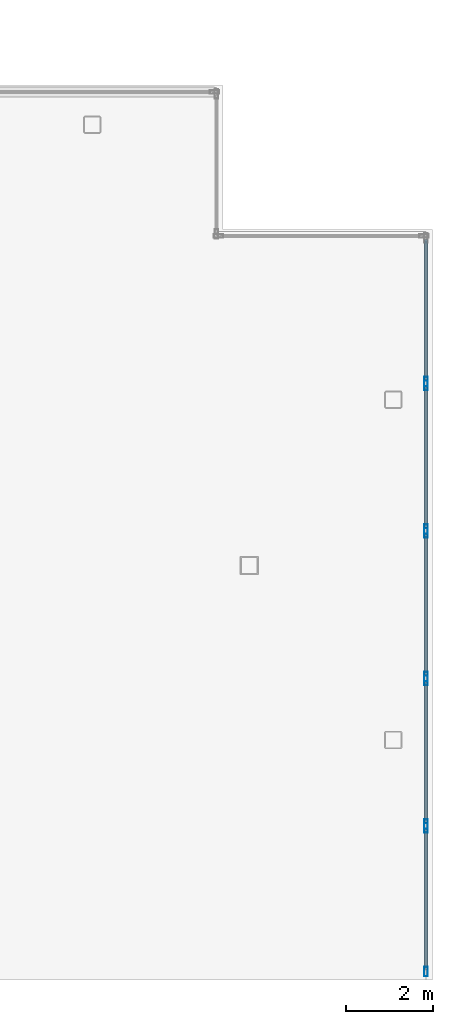
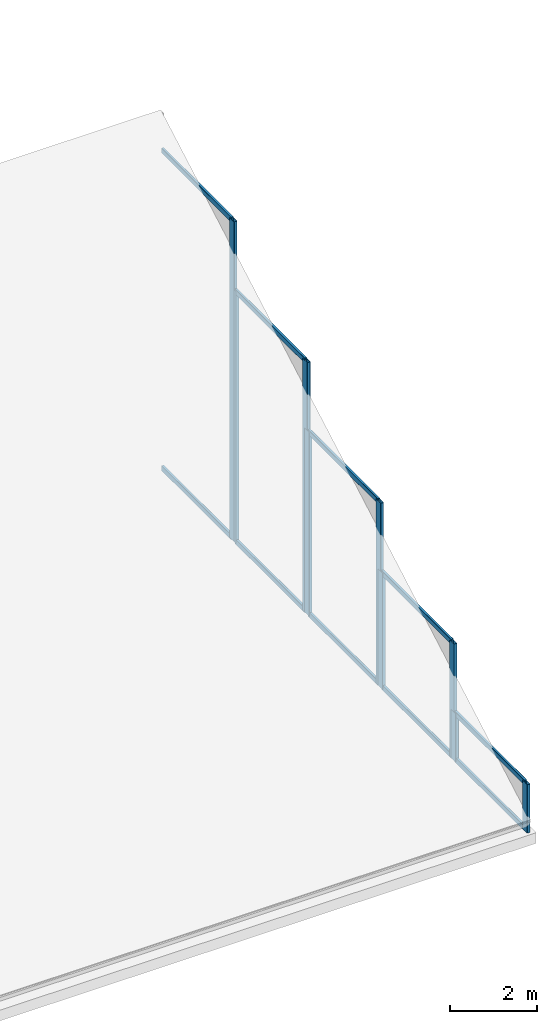
# One storey, part 6 of 11: 19 members, 5 elements without a shape of their own.
"""IFC4 building model written with IfcOpenShell, lengths in metres."""

from ifc_helpers import new_model, si_unit, direction, frame, origin, origin_2d, place, context, subcontext, project, spatial, hollow_rectangle, extrude, material, layer, layer_set, material_profile, profile_set, type_object, element, aggregate, save


model = new_model("IFC4")

# Units and contexts
model_context = context("Model", 3, precision=1e-05, world=origin(), true_north=direction((0.0, 1.0)))
body_context = subcontext(model_context, "Body", "Model", "MODEL_VIEW")
ifc_project = project(units=[si_unit("LENGTHUNIT", "METRE"), si_unit("AREAUNIT", "SQUARE_METRE"), si_unit("VOLUMEUNIT", "CUBIC_METRE"), si_unit("PLANEANGLEUNIT", "RADIAN"), si_unit("MASSUNIT", "GRAM", prefix="KILO")], contexts=[model_context])

# Site, building, storey
site_placement = place(None, origin())
site = spatial("IfcSite", under=ifc_project, at=site_placement, CompositionType="ELEMENT")
building_placement = place(site_placement, origin())
building = spatial("IfcBuilding", under=site, at=building_placement, Name="Tarnavaz Court Tower", CompositionType="ELEMENT")
storey_placement = place(building_placement, frame((0.0, 0.0, 304.050048828125)))
storey = spatial("IfcBuildingStorey", under=building, at=storey_placement, Name="C06", CompositionType="ELEMENT", Elevation=304.050048828125)

# Curtain wall, member
ifc_material_1 = material(Name="Anodised Aluminium 6063-T6 and Solar Low-E Glazing", Category="aluminium")
ifc_layer = layer(ifc_material_1, 0.2099609375)
ifc_layer_set = layer_set([ifc_layer], Name="Anodised Aluminium 6063-T6 and Solar Low-E Glazing")
curtain_wall_type = type_object("IfcCurtainWallType", Name="CW-SYS-06", PredefinedType="NOTDEFINED", material=ifc_layer_set)
curtain_wall_1_placement = place(storey_placement, origin())
curtain_wall_1 = element("IfcCurtainWall", 1, at=curtain_wall_1_placement, inside=storey, type_object=curtain_wall_type, Name="C06 Slanted Crown Terracotta Curtain Wall 10", PredefinedType="NOTDEFINED")
ifc_material_2 = material(Name="Anodised Aluminium 6063-T6", Category="aluminium")
ifc_material_profile_1 = material_profile(ifc_material_2, hollow_rectangle(XDim=0.0849609375, YDim=0.219970703125, WallThickness=0.006103515625, InnerFilletRadius=0.006103515625, OuterFilletRadius=0.011962890625, at=origin_2d()), Name="ALU RHS 220X85X6")
ifc_profile_set_1 = profile_set([ifc_material_profile_1], Name="Anodised Aluminium 6063-T6")
member_type_1 = type_object("IfcMemberType", Name="CW-MUL-220", PredefinedType="MULLION", material=ifc_profile_set_1)
member_1_placement = place(storey_placement, frame((22.64990234375, 14.21240234375, 0.0), z_axis=(0.0, 0.0, 1.0), x_axis=(1.0, 0.0, 0.0)))
member_1 = element("IfcMember", 2, at=member_1_placement, type_object=member_type_1, Name="CW mullion 2", PredefinedType="MULLION", context=body_context, shape_type="SweptSolid", body=[
    extrude(hollow_rectangle(XDim=0.0849609375, YDim=0.219970703125, WallThickness=0.006103515625, InnerFilletRadius=0.006103515625, OuterFilletRadius=0.011962890625, at=origin_2d()), origin(), (0.0, 0.0, 1.0), 9.004638671875),
])

# Curtain wall, members
curtain_wall_2_placement = place(storey_placement, origin())
curtain_wall_2 = element("IfcCurtainWall", 3, at=curtain_wall_2_placement, inside=storey, type_object=curtain_wall_type, Name="C06 Slanted Crown Terracotta Curtain Wall 11", PredefinedType="NOTDEFINED")
member_2_placement = place(storey_placement, frame((22.64990234375, 14.12744140625, 0.0), z_axis=(0.0, 0.0, 1.0), x_axis=(1.0, 0.0, 0.0)))
member_2 = element("IfcMember", 4, at=member_2_placement, type_object=member_type_1, Name="CW mullion 1", PredefinedType="MULLION", context=body_context, shape_type="SweptSolid", body=[
    extrude(hollow_rectangle(XDim=0.0849609375, YDim=0.219970703125, WallThickness=0.006103515625, InnerFilletRadius=0.006103515625, OuterFilletRadius=0.011962890625, at=origin_2d()), origin(), (0.0, 0.0, 1.0), 7.093017578125),
])
member_3_placement = place(storey_placement, frame((22.64990234375, 10.83251953125, 0.0), z_axis=(0.0, 0.0, 1.0), x_axis=(1.0, 0.0, 0.0)))
member_3 = element("IfcMember", 5, at=member_3_placement, type_object=member_type_1, Name="CW mullion 2", PredefinedType="MULLION", context=body_context, shape_type="SweptSolid", body=[
    extrude(hollow_rectangle(XDim=0.0849609375, YDim=0.219970703125, WallThickness=0.006103515625, InnerFilletRadius=0.006103515625, OuterFilletRadius=0.011962890625, at=origin_2d()), origin(), (0.0, 0.0, 1.0), 7.093017578125),
])

curtain_wall_3_placement = place(storey_placement, origin())
curtain_wall_3 = element("IfcCurtainWall", 6, at=curtain_wall_3_placement, inside=storey, type_object=curtain_wall_type, Name="C06 Slanted Crown Terracotta Curtain Wall 12", PredefinedType="NOTDEFINED")
member_4_placement = place(storey_placement, frame((22.64990234375, 10.74755859375, 0.0), z_axis=(0.0, 0.0, 1.0), x_axis=(1.0, 0.0, 0.0)))
member_4 = element("IfcMember", 7, at=member_4_placement, type_object=member_type_1, Name="CW mullion 1", PredefinedType="MULLION", context=body_context, shape_type="SweptSolid", body=[
    extrude(hollow_rectangle(XDim=0.0849609375, YDim=0.219970703125, WallThickness=0.006103515625, InnerFilletRadius=0.006103515625, OuterFilletRadius=0.011962890625, at=origin_2d()), origin(), (0.0, 0.0, 1.0), 5.181640625),
])
member_5_placement = place(storey_placement, frame((22.64990234375, 7.452392578125, 0.0), z_axis=(0.0, 0.0, 1.0), x_axis=(1.0, 0.0, 0.0)))
member_5 = element("IfcMember", 8, at=member_5_placement, type_object=member_type_1, Name="CW mullion 2", PredefinedType="MULLION", context=body_context, shape_type="SweptSolid", body=[
    extrude(hollow_rectangle(XDim=0.0849609375, YDim=0.219970703125, WallThickness=0.006103515625, InnerFilletRadius=0.006103515625, OuterFilletRadius=0.011962890625, at=origin_2d()), origin(), (0.0, 0.0, 1.0), 5.181640625),
])

curtain_wall_4_placement = place(storey_placement, origin())
curtain_wall_4 = element("IfcCurtainWall", 9, at=curtain_wall_4_placement, inside=storey, type_object=curtain_wall_type, Name="C06 Slanted Crown Terracotta Curtain Wall 13", PredefinedType="NOTDEFINED")
member_6_placement = place(storey_placement, frame((22.64990234375, 7.367431640625, 0.0), z_axis=(0.0, 0.0, 1.0), x_axis=(1.0, 0.0, 0.0)))
member_6 = element("IfcMember", 10, at=member_6_placement, type_object=member_type_1, Name="CW mullion 1", PredefinedType="MULLION", context=body_context, shape_type="SweptSolid", body=[
    extrude(hollow_rectangle(XDim=0.0849609375, YDim=0.219970703125, WallThickness=0.006103515625, InnerFilletRadius=0.006103515625, OuterFilletRadius=0.011962890625, at=origin_2d()), origin(), (0.0, 0.0, 1.0), 3.27001953125),
])
member_7_placement = place(storey_placement, frame((22.64990234375, 4.072509765625, 0.0), z_axis=(0.0, 0.0, 1.0), x_axis=(1.0, 0.0, 0.0)))
member_7 = element("IfcMember", 11, at=member_7_placement, type_object=member_type_1, Name="CW mullion 2", PredefinedType="MULLION", context=body_context, shape_type="SweptSolid", body=[
    extrude(hollow_rectangle(XDim=0.0849609375, YDim=0.219970703125, WallThickness=0.006103515625, InnerFilletRadius=0.006103515625, OuterFilletRadius=0.011962890625, at=origin_2d()), origin(), (0.0, 0.0, 1.0), 3.27001953125),
])

curtain_wall_5_placement = place(storey_placement, origin())
curtain_wall_5 = element("IfcCurtainWall", 12, at=curtain_wall_5_placement, inside=storey, type_object=curtain_wall_type, Name="C06 Slanted Crown Terracotta Curtain Wall 14", PredefinedType="NOTDEFINED")
member_8_placement = place(storey_placement, frame((22.64990234375, 3.987548828125, 0.0), z_axis=(0.0, 0.0, 1.0), x_axis=(1.0, 0.0, 0.0)))
member_8 = element("IfcMember", 13, at=member_8_placement, type_object=member_type_1, Name="CW mullion 1", PredefinedType="MULLION", context=body_context, shape_type="SweptSolid", body=[
    extrude(hollow_rectangle(XDim=0.0849609375, YDim=0.219970703125, WallThickness=0.006103515625, InnerFilletRadius=0.006103515625, OuterFilletRadius=0.011962890625, at=origin_2d()), origin(), (0.0, 0.0, 1.0), 1.3583984375),
])
member_9_placement = place(storey_placement, frame((22.64990234375, 0.6923828125, 0.0), z_axis=(0.0, 0.0, 1.0), x_axis=(1.0, 0.0, 0.0)))
member_9 = element("IfcMember", 14, at=member_9_placement, type_object=member_type_1, Name="CW mullion 2", PredefinedType="MULLION", context=body_context, shape_type="SweptSolid", body=[
    extrude(hollow_rectangle(XDim=0.0849609375, YDim=0.219970703125, WallThickness=0.006103515625, InnerFilletRadius=0.006103515625, OuterFilletRadius=0.011962890625, at=origin_2d()), origin(), (0.0, 0.0, 1.0), 1.3583984375),
])

# Member
ifc_material_profile_2 = material_profile(ifc_material_2, hollow_rectangle(XDim=0.06494140625, YDim=0.139892578125, WallThickness=0.00390625, InnerFilletRadius=0.00390625, OuterFilletRadius=0.008056640625, at=origin_2d()), Name="ALU RHS 140X65X4")
ifc_profile_set_2 = profile_set([ifc_material_profile_2], Name="Anodised Aluminium 6063-T6")
member_type_2 = type_object("IfcMemberType", Name="CW-TRN-140", PredefinedType="USERDEFINED", material=ifc_profile_set_2)
member_10_placement = place(storey_placement, frame((22.64990234375, 17.465087890625, 0.032470703125), z_axis=(0.0, -1.0, 0.0), x_axis=(1.0, 0.0, 0.0)))
member_10 = element("IfcMember", 15, at=member_10_placement, type_object=member_type_2, Name="CW transom 1.1", ObjectType="TRANSOM", PredefinedType="USERDEFINED", context=body_context, shape_type="SweptSolid", body=[
    extrude(hollow_rectangle(XDim=0.06494140625, YDim=0.139892578125, WallThickness=0.00390625, InnerFilletRadius=0.00390625, OuterFilletRadius=0.008056640625, at=origin_2d()), origin(), (0.0, 0.0, 1.0), 3.210205078125),
])

member_11_placement = place(storey_placement, frame((22.64990234375, 17.465087890625, 8.97216796875), z_axis=(0.0, -1.0, 0.0), x_axis=(1.0, 0.0, 0.0)))
member_11 = element("IfcMember", 16, at=member_11_placement, type_object=member_type_2, Name="CW transom 1.2", ObjectType="TRANSOM", PredefinedType="USERDEFINED", context=body_context, shape_type="SweptSolid", body=[
    extrude(hollow_rectangle(XDim=0.06494140625, YDim=0.139892578125, WallThickness=0.00390625, InnerFilletRadius=0.00390625, OuterFilletRadius=0.008056640625, at=origin_2d()), origin(), (0.0, 0.0, 1.0), 3.210205078125),
])

aggregate(curtain_wall_1, [member_1, member_10, member_11])

member_12_placement = place(storey_placement, frame((22.64990234375, 14.0849609375, 0.032470703125), z_axis=(0.0, -1.0, 0.0), x_axis=(1.0, 0.0, 0.0)))
member_12 = element("IfcMember", 17, at=member_12_placement, type_object=member_type_2, Name="CW transom 1.1", ObjectType="TRANSOM", PredefinedType="USERDEFINED", context=body_context, shape_type="SweptSolid", body=[
    extrude(hollow_rectangle(XDim=0.06494140625, YDim=0.139892578125, WallThickness=0.00390625, InnerFilletRadius=0.00390625, OuterFilletRadius=0.008056640625, at=origin_2d()), origin(), (0.0, 0.0, 1.0), 3.2099609375),
])

member_13_placement = place(storey_placement, frame((22.64990234375, 14.0849609375, 7.060546875), z_axis=(0.0, -1.0, 0.0), x_axis=(1.0, 0.0, 0.0)))
member_13 = element("IfcMember", 18, at=member_13_placement, type_object=member_type_2, Name="CW transom 1.2", ObjectType="TRANSOM", PredefinedType="USERDEFINED", context=body_context, shape_type="SweptSolid", body=[
    extrude(hollow_rectangle(XDim=0.06494140625, YDim=0.139892578125, WallThickness=0.00390625, InnerFilletRadius=0.00390625, OuterFilletRadius=0.008056640625, at=origin_2d()), origin(), (0.0, 0.0, 1.0), 3.2099609375),
])

aggregate(curtain_wall_2, [member_2, member_3, member_12, member_13])

member_14_placement = place(storey_placement, frame((22.64990234375, 10.705078125, 0.032470703125), z_axis=(0.0, -1.0, 0.0), x_axis=(1.0, 0.0, 0.0)))
member_14 = element("IfcMember", 19, at=member_14_placement, type_object=member_type_2, Name="CW transom 1.1", ObjectType="TRANSOM", PredefinedType="USERDEFINED", context=body_context, shape_type="SweptSolid", body=[
    extrude(hollow_rectangle(XDim=0.06494140625, YDim=0.139892578125, WallThickness=0.00390625, InnerFilletRadius=0.00390625, OuterFilletRadius=0.008056640625, at=origin_2d()), origin(), (0.0, 0.0, 1.0), 3.2099609375),
])

member_15_placement = place(storey_placement, frame((22.64990234375, 10.705078125, 5.149169921875), z_axis=(0.0, -1.0, 0.0), x_axis=(1.0, 0.0, 0.0)))
member_15 = element("IfcMember", 20, at=member_15_placement, type_object=member_type_2, Name="CW transom 1.2", ObjectType="TRANSOM", PredefinedType="USERDEFINED", context=body_context, shape_type="SweptSolid", body=[
    extrude(hollow_rectangle(XDim=0.06494140625, YDim=0.139892578125, WallThickness=0.00390625, InnerFilletRadius=0.00390625, OuterFilletRadius=0.008056640625, at=origin_2d()), origin(), (0.0, 0.0, 1.0), 3.2099609375),
])

aggregate(curtain_wall_3, [member_4, member_5, member_14, member_15])

member_16_placement = place(storey_placement, frame((22.64990234375, 7.324951171875, 0.032470703125), z_axis=(0.0, -1.0, 0.0), x_axis=(1.0, 0.0, 0.0)))
member_16 = element("IfcMember", 21, at=member_16_placement, type_object=member_type_2, Name="CW transom 1.1", ObjectType="TRANSOM", PredefinedType="USERDEFINED", context=body_context, shape_type="SweptSolid", body=[
    extrude(hollow_rectangle(XDim=0.06494140625, YDim=0.139892578125, WallThickness=0.00390625, InnerFilletRadius=0.00390625, OuterFilletRadius=0.008056640625, at=origin_2d()), origin(), (0.0, 0.0, 1.0), 3.2099609375),
])

member_17_placement = place(storey_placement, frame((22.64990234375, 7.324951171875, 3.237548828125), z_axis=(0.0, -1.0, 0.0), x_axis=(1.0, 0.0, 0.0)))
member_17 = element("IfcMember", 22, at=member_17_placement, type_object=member_type_2, Name="CW transom 1.2", ObjectType="TRANSOM", PredefinedType="USERDEFINED", context=body_context, shape_type="SweptSolid", body=[
    extrude(hollow_rectangle(XDim=0.06494140625, YDim=0.139892578125, WallThickness=0.00390625, InnerFilletRadius=0.00390625, OuterFilletRadius=0.008056640625, at=origin_2d()), origin(), (0.0, 0.0, 1.0), 3.2099609375),
])

aggregate(curtain_wall_4, [member_6, member_7, member_16, member_17])

member_18_placement = place(storey_placement, frame((22.64990234375, 3.945068359375, 0.032470703125), z_axis=(0.0, -1.0, 0.0), x_axis=(1.0, 0.0, 0.0)))
member_18 = element("IfcMember", 23, at=member_18_placement, type_object=member_type_2, Name="CW transom 1.1", ObjectType="TRANSOM", PredefinedType="USERDEFINED", context=body_context, shape_type="SweptSolid", body=[
    extrude(hollow_rectangle(XDim=0.06494140625, YDim=0.139892578125, WallThickness=0.00390625, InnerFilletRadius=0.00390625, OuterFilletRadius=0.008056640625, at=origin_2d()), origin(), (0.0, 0.0, 1.0), 3.2099609375),
])

member_19_placement = place(storey_placement, frame((22.64990234375, 3.945068359375, 1.325927734375), z_axis=(0.0, -1.0, 0.0), x_axis=(1.0, 0.0, 0.0)))
member_19 = element("IfcMember", 24, at=member_19_placement, type_object=member_type_2, Name="CW transom 1.2", ObjectType="TRANSOM", PredefinedType="USERDEFINED", context=body_context, shape_type="SweptSolid", body=[
    extrude(hollow_rectangle(XDim=0.06494140625, YDim=0.139892578125, WallThickness=0.00390625, InnerFilletRadius=0.00390625, OuterFilletRadius=0.008056640625, at=origin_2d()), origin(), (0.0, 0.0, 1.0), 3.2099609375),
])

aggregate(curtain_wall_5, [member_8, member_9, member_18, member_19])

save(model, "model.ifc")
